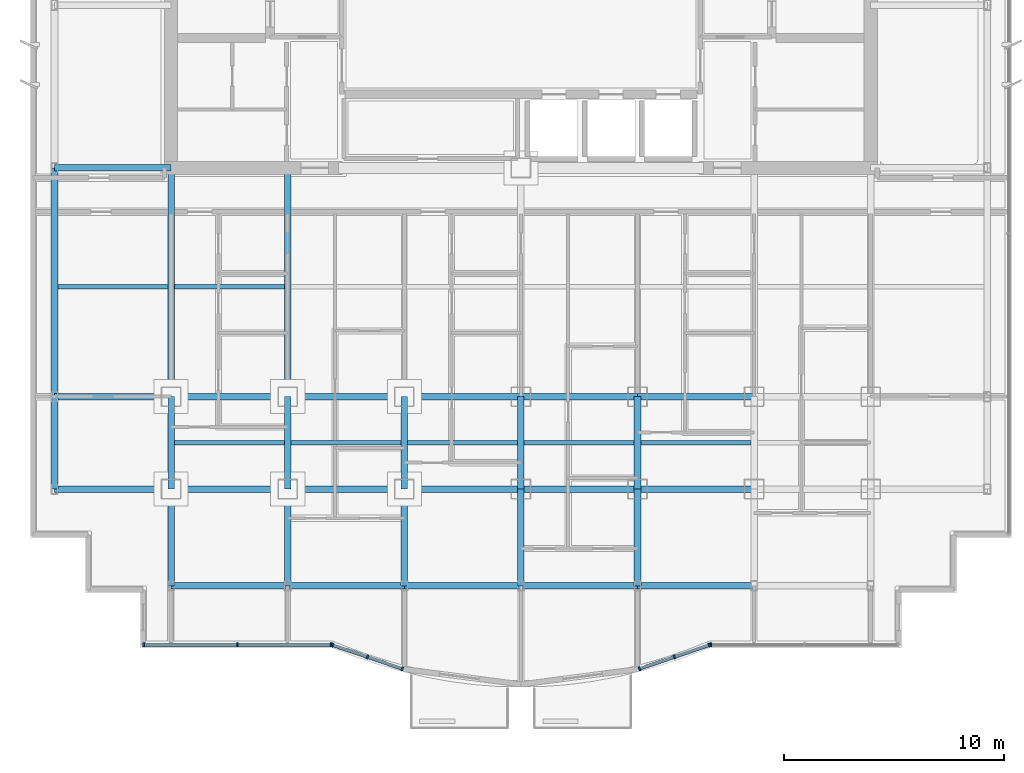
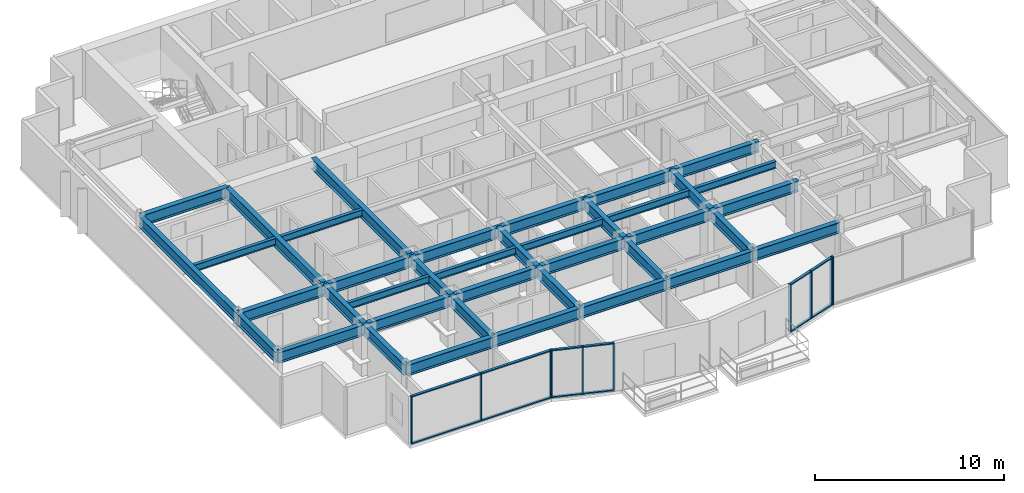
# One storey, part 2 of 13: 39 beams, 22 members, 4 elements without a shape of their own.
"""IFC4 building model written with IfcOpenShell, lengths in metres."""

from ifc_helpers import new_model, si_unit, direction, frame, origin, origin_2d, place, context, subcontext, project, spatial, rectangle, i_section, extrude, source, transform, mapped, material, layer, layer_set, material_profile, profile_set, type_object, element, aggregate, save


model = new_model("IFC4")

# Units and contexts
model_context = context("Model", 3, precision=1e-05, world=origin(), true_north=direction((0.0, 1.0)))
body_context = subcontext(model_context, "Body", "Model", "MODEL_VIEW")
ifc_project = project(units=[si_unit("LENGTHUNIT", "METRE"), si_unit("AREAUNIT", "SQUARE_METRE"), si_unit("VOLUMEUNIT", "CUBIC_METRE"), si_unit("PLANEANGLEUNIT", "RADIAN"), si_unit("MASSUNIT", "GRAM", prefix="KILO")], contexts=[model_context])

# Site, building, storey
site_placement = place(None, origin())
site = spatial("IfcSite", under=ifc_project, at=site_placement, CompositionType="ELEMENT")
building_placement = place(site_placement, origin())
building = spatial("IfcBuilding", under=site, at=building_placement, Name="Qianlan Lanfeng Residences", CompositionType="ELEMENT")
storey_placement = place(building_placement, frame((0.0, 0.0, 162.300048828125)))
storey = spatial("IfcBuildingStorey", under=building, at=storey_placement, Name="L44", CompositionType="ELEMENT", Elevation=162.300048828125)

# Beams
ifc_material_1 = material(Name="Steel SN490B", Category="steel")
ifc_material_profile_1 = material_profile(ifc_material_1, i_section(OverallWidth=0.300048828125, OverallDepth=0.699951171875, WebThickness=0.012939453125, FlangeThickness=0.02392578125, at=origin_2d()), Name="H 700x300x13x24")
ifc_profile_set_1 = profile_set([ifc_material_profile_1], Name="Steel SN490B")
beam_type_1 = type_object("IfcBeamType", Name="G-750", PredefinedType="BEAM", material=ifc_profile_set_1)
beam_1_placement = place(storey_placement, frame((5.300048828125, 10.60009765625, 2.75), z_axis=(1.0, 0.0, 0.0), x_axis=(0.0, 1.0, 0.0)))
element("IfcBeam", 1, at=beam_1_placement, inside=storey, type_object=beam_type_1, Name="Structural beam G-750", PredefinedType="BEAM", context=body_context, shape_type="SweptSolid", body=[
    extrude(i_section(OverallWidth=0.300048828125, OverallDepth=0.699951171875, WebThickness=0.012939453125, FlangeThickness=0.02392578125, at=origin_2d()), origin(), (0.0, 0.0, 1.0), 5.300048828125),
])
beam_2_placement = place(storey_placement, frame((10.60009765625, 10.60009765625, 2.75), z_axis=(1.0, 0.0, 0.0), x_axis=(0.0, 1.0, 0.0)))
element("IfcBeam", 2, at=beam_2_placement, inside=storey, type_object=beam_type_1, Name="Structural beam G-750", PredefinedType="BEAM", context=body_context, shape_type="SweptSolid", body=[
    extrude(i_section(OverallWidth=0.300048828125, OverallDepth=0.699951171875, WebThickness=0.012939453125, FlangeThickness=0.02392578125, at=origin_2d()), origin(), (0.0, 0.0, 1.0), 5.2998046875),
])
for number, where, z_axis, x_axis, name in (
    (3, (15.89990234375, 10.60009765625, 2.75), (1.0, 0.0, 0.0), (0.0, 1.0, 0.0), "Structural beam G-750"),
    (4, (21.199951171875, 10.60009765625, 2.75), (1.0, 0.0, 0.0), (0.0, 1.0, 0.0), "Structural beam G-750"),
    (5, (26.5, 10.60009765625, 2.75), (1.0, 0.0, 0.0), (0.0, 1.0, 0.0), "Structural beam G-750"),
    (6, (31.800048828125, 10.60009765625, 2.75), (1.0, 0.0, 0.0), (0.0, 1.0, 0.0), "Structural beam G-750"),
    (7, (5.300048828125, 14.800048828125, 2.75), (1.0, 0.0, 0.0), (0.0, 1.0, 0.0), "Structural beam G-750"),
):
    element("IfcBeam", number, at=place(storey_placement, frame(where, z_axis=z_axis, x_axis=x_axis)), inside=storey, type_object=beam_type_1, Name=name, PredefinedType="BEAM", context=body_context, shape_type="SweptSolid", body=[
        extrude(i_section(OverallWidth=0.300048828125, OverallDepth=0.699951171875, WebThickness=0.012939453125, FlangeThickness=0.02392578125, at=origin_2d()), origin(), (0.0, 0.0, 1.0), 5.300048828125),
    ])
beam_3_placement = place(storey_placement, frame((10.60009765625, 14.800048828125, 2.75), z_axis=(1.0, 0.0, 0.0), x_axis=(0.0, 1.0, 0.0)))
element("IfcBeam", 8, at=beam_3_placement, inside=storey, type_object=beam_type_1, Name="Structural beam G-750", PredefinedType="BEAM", context=body_context, shape_type="SweptSolid", body=[
    extrude(i_section(OverallWidth=0.300048828125, OverallDepth=0.699951171875, WebThickness=0.012939453125, FlangeThickness=0.02392578125, at=origin_2d()), origin(), (0.0, 0.0, 1.0), 5.2998046875),
])
for number, where, z_axis, x_axis, name in (
    (9, (15.89990234375, 14.800048828125, 2.75), (1.0, 0.0, 0.0), (0.0, 1.0, 0.0), "Structural beam G-750"),
    (10, (21.199951171875, 14.800048828125, 2.75), (1.0, 0.0, 0.0), (0.0, 1.0, 0.0), "Structural beam G-750"),
    (11, (26.5, 14.800048828125, 2.75), (1.0, 0.0, 0.0), (0.0, 1.0, 0.0), "Structural beam G-750"),
    (12, (31.800048828125, 14.800048828125, 2.75), (1.0, 0.0, 0.0), (0.0, 1.0, 0.0), "Structural beam G-750"),
    (13, (5.300048828125, 25.199951171875, 2.75), (1.0, 0.0, 0.0), (0.0, 1.0, 0.0), "Structural beam G-750"),
):
    element("IfcBeam", number, at=place(storey_placement, frame(where, z_axis=z_axis, x_axis=x_axis)), inside=storey, type_object=beam_type_1, Name=name, PredefinedType="BEAM", context=body_context, shape_type="SweptSolid", body=[
        extrude(i_section(OverallWidth=0.300048828125, OverallDepth=0.699951171875, WebThickness=0.012939453125, FlangeThickness=0.02392578125, at=origin_2d()), origin(), (0.0, 0.0, 1.0), 5.300048828125),
    ])
beam_4_placement = place(storey_placement, frame((10.60009765625, 6.199951171875, 2.75), z_axis=(0.0, 1.0, 0.0), x_axis=(-1.0, 0.0, 0.0)))
element("IfcBeam", 14, at=beam_4_placement, inside=storey, type_object=beam_type_1, Name="Structural beam G-750", PredefinedType="BEAM", context=body_context, shape_type="SweptSolid", body=[
    extrude(i_section(OverallWidth=0.300048828125, OverallDepth=0.699951171875, WebThickness=0.012939453125, FlangeThickness=0.02392578125, at=origin_2d()), origin(), (0.0, 0.0, 1.0), 4.400146484375),
])
beam_5_placement = place(storey_placement, frame((10.60009765625, 10.60009765625, 2.75), z_axis=(0.0, 1.0, 0.0), x_axis=(-1.0, 0.0, 0.0)))
element("IfcBeam", 15, at=beam_5_placement, inside=storey, type_object=beam_type_1, Name="Structural beam G-750", PredefinedType="BEAM", context=body_context, shape_type="SweptSolid", body=[
    extrude(i_section(OverallWidth=0.300048828125, OverallDepth=0.699951171875, WebThickness=0.012939453125, FlangeThickness=0.02392578125, at=origin_2d()), origin(), (0.0, 0.0, 1.0), 4.199951171875),
])
beam_6_placement = place(storey_placement, frame((10.60009765625, 14.800048828125, 2.75), z_axis=(0.0, 1.0, 0.0), x_axis=(-1.0, 0.0, 0.0)))
element("IfcBeam", 16, at=beam_6_placement, inside=storey, type_object=beam_type_1, Name="Structural beam G-750", PredefinedType="BEAM", context=body_context, shape_type="SweptSolid", body=[
    extrude(i_section(OverallWidth=0.300048828125, OverallDepth=0.699951171875, WebThickness=0.012939453125, FlangeThickness=0.02392578125, at=origin_2d()), origin(), (0.0, 0.0, 1.0), 10.39990234375),
])
beam_7_placement = place(storey_placement, frame((15.89990234375, 6.199951171875, 2.75), z_axis=(0.0, 1.0, 0.0), x_axis=(-1.0, 0.0, 0.0)))
element("IfcBeam", 17, at=beam_7_placement, inside=storey, type_object=beam_type_1, Name="Structural beam G-750", PredefinedType="BEAM", context=body_context, shape_type="SweptSolid", body=[
    extrude(i_section(OverallWidth=0.300048828125, OverallDepth=0.699951171875, WebThickness=0.012939453125, FlangeThickness=0.02392578125, at=origin_2d()), origin(), (0.0, 0.0, 1.0), 4.400146484375),
])
beam_8_placement = place(storey_placement, frame((15.89990234375, 10.60009765625, 2.75), z_axis=(0.0, 1.0, 0.0), x_axis=(-1.0, 0.0, 0.0)))
element("IfcBeam", 18, at=beam_8_placement, inside=storey, type_object=beam_type_1, Name="Structural beam G-750", PredefinedType="BEAM", context=body_context, shape_type="SweptSolid", body=[
    extrude(i_section(OverallWidth=0.300048828125, OverallDepth=0.699951171875, WebThickness=0.012939453125, FlangeThickness=0.02392578125, at=origin_2d()), origin(), (0.0, 0.0, 1.0), 4.199951171875),
])
beam_9_placement = place(storey_placement, frame((15.89990234375, 14.800048828125, 2.75), z_axis=(0.0, 1.0, 0.0), x_axis=(-1.0, 0.0, 0.0)))
element("IfcBeam", 19, at=beam_9_placement, inside=storey, type_object=beam_type_1, Name="Structural beam G-750", PredefinedType="BEAM", context=body_context, shape_type="SweptSolid", body=[
    extrude(i_section(OverallWidth=0.300048828125, OverallDepth=0.699951171875, WebThickness=0.012939453125, FlangeThickness=0.02392578125, at=origin_2d()), origin(), (0.0, 0.0, 1.0), 10.39990234375),
])
beam_10_placement = place(storey_placement, frame((21.199951171875, 6.199951171875, 2.75), z_axis=(0.0, 1.0, 0.0), x_axis=(-1.0, 0.0, 0.0)))
element("IfcBeam", 20, at=beam_10_placement, inside=storey, type_object=beam_type_1, Name="Structural beam G-750", PredefinedType="BEAM", context=body_context, shape_type="SweptSolid", body=[
    extrude(i_section(OverallWidth=0.300048828125, OverallDepth=0.699951171875, WebThickness=0.012939453125, FlangeThickness=0.02392578125, at=origin_2d()), origin(), (0.0, 0.0, 1.0), 4.400146484375),
])
beam_11_placement = place(storey_placement, frame((21.199951171875, 10.60009765625, 2.75), z_axis=(0.0, 1.0, 0.0), x_axis=(-1.0, 0.0, 0.0)))
element("IfcBeam", 21, at=beam_11_placement, inside=storey, type_object=beam_type_1, Name="Structural beam G-750", PredefinedType="BEAM", context=body_context, shape_type="SweptSolid", body=[
    extrude(i_section(OverallWidth=0.300048828125, OverallDepth=0.699951171875, WebThickness=0.012939453125, FlangeThickness=0.02392578125, at=origin_2d()), origin(), (0.0, 0.0, 1.0), 4.199951171875),
])
beam_12_placement = place(storey_placement, frame((26.5, 6.199951171875, 2.75), z_axis=(0.0, 1.0, 0.0), x_axis=(-1.0, 0.0, 0.0)))
element("IfcBeam", 22, at=beam_12_placement, inside=storey, type_object=beam_type_1, Name="Structural beam G-750", PredefinedType="BEAM", context=body_context, shape_type="SweptSolid", body=[
    extrude(i_section(OverallWidth=0.300048828125, OverallDepth=0.699951171875, WebThickness=0.012939453125, FlangeThickness=0.02392578125, at=origin_2d()), origin(), (0.0, 0.0, 1.0), 4.400146484375),
])
beam_13_placement = place(storey_placement, frame((26.5, 10.60009765625, 2.75), z_axis=(0.0, 1.0, 0.0), x_axis=(-1.0, 0.0, 0.0)))
element("IfcBeam", 23, at=beam_13_placement, inside=storey, type_object=beam_type_1, Name="Structural beam G-750", PredefinedType="BEAM", context=body_context, shape_type="SweptSolid", body=[
    extrude(i_section(OverallWidth=0.300048828125, OverallDepth=0.699951171875, WebThickness=0.012939453125, FlangeThickness=0.02392578125, at=origin_2d()), origin(), (0.0, 0.0, 1.0), 4.199951171875),
])
beam_14_placement = place(storey_placement, frame((31.800048828125, 6.199951171875, 2.75), z_axis=(0.0, 1.0, 0.0), x_axis=(-1.0, 0.0, 0.0)))
element("IfcBeam", 24, at=beam_14_placement, inside=storey, type_object=beam_type_1, Name="Structural beam G-750", PredefinedType="BEAM", context=body_context, shape_type="SweptSolid", body=[
    extrude(i_section(OverallWidth=0.300048828125, OverallDepth=0.699951171875, WebThickness=0.012939453125, FlangeThickness=0.02392578125, at=origin_2d()), origin(), (0.0, 0.0, 1.0), 4.400146484375),
])
beam_15_placement = place(storey_placement, frame((31.800048828125, 10.60009765625, 2.75), z_axis=(0.0, 1.0, 0.0), x_axis=(-1.0, 0.0, 0.0)))
element("IfcBeam", 25, at=beam_15_placement, inside=storey, type_object=beam_type_1, Name="Structural beam G-750", PredefinedType="BEAM", context=body_context, shape_type="SweptSolid", body=[
    extrude(i_section(OverallWidth=0.300048828125, OverallDepth=0.699951171875, WebThickness=0.012939453125, FlangeThickness=0.02392578125, at=origin_2d()), origin(), (0.0, 0.0, 1.0), 4.199951171875),
])
ifc_material_profile_2 = material_profile(ifc_material_1, i_section(OverallWidth=0.199951171875, OverallDepth=0.449951171875, WebThickness=0.009033203125, FlangeThickness=0.013916015625, at=origin_2d()), Name="H 450x200x9x14")
ifc_profile_set_2 = profile_set([ifc_material_profile_2], Name="Steel SN490B")
beam_type_2 = type_object("IfcBeamType", Name="J-450", PredefinedType="JOIST", material=ifc_profile_set_2)
for number, where, z_axis, x_axis, name in (
    (26, (10.75, 12.699951171875, 2.875), (1.0, 0.0, 0.0), (0.0, 1.0, 0.0), "Structural beam J-450"),
    (27, (16.050048828125, 12.699951171875, 2.875), (1.0, 0.0, 0.0), (0.0, 1.0, 0.0), "Structural beam J-450"),
    (28, (21.35009765625, 12.699951171875, 2.875), (1.0, 0.0, 0.0), (0.0, 1.0, 0.0), "Structural beam J-450"),
    (29, (26.64990234375, 12.699951171875, 2.875), (1.0, 0.0, 0.0), (0.0, 1.0, 0.0), "Structural beam J-450"),
    (30, (31.949951171875, 12.699951171875, 2.875), (1.0, 0.0, 0.0), (0.0, 1.0, 0.0), "Structural beam J-450"),
    (31, (5.449951171875, 19.800048828125, 2.875), (1.0, 0.0, 0.0), (0.0, 1.0, 0.0), "Structural beam J-450"),
    (32, (10.75, 19.800048828125, 2.875), (1.0, 0.0, 0.0), (0.0, 1.0, 0.0), "Structural beam J-450"),
):
    element("IfcBeam", number, at=place(storey_placement, frame(where, z_axis=z_axis, x_axis=x_axis)), inside=storey, type_object=beam_type_2, Name=name, PredefinedType="JOIST", context=body_context, shape_type="SweptSolid", body=[
        extrude(i_section(OverallWidth=0.199951171875, OverallDepth=0.449951171875, WebThickness=0.009033203125, FlangeThickness=0.013916015625, at=origin_2d()), origin(), (0.0, 0.0, 1.0), 5.0),
    ])
ifc_material_profile_3 = material_profile(ifc_material_1, i_section(OverallWidth=0.300048828125, OverallDepth=0.699951171875, WebThickness=0.012939453125, FlangeThickness=0.02392578125, at=origin_2d()), Name="H 700x300x13x24")
ifc_profile_set_3 = profile_set([ifc_material_profile_3], Name="Steel SN490B")
beam_type_3 = type_object("IfcBeamType", Name="SG-750", PredefinedType="SPANDREL", material=ifc_profile_set_3)
beam_16_placement = place(storey_placement, frame((10.60009765625, 6.199951171875, 2.739990234375), z_axis=(1.0, 0.0, 0.0), x_axis=(0.0, 1.0, 0.0)))
element("IfcBeam", 33, at=beam_16_placement, inside=storey, type_object=beam_type_3, Name="Structural beam SG-750", PredefinedType="SPANDREL", context=body_context, shape_type="SweptSolid", body=[
    extrude(i_section(OverallWidth=0.300048828125, OverallDepth=0.699951171875, WebThickness=0.012939453125, FlangeThickness=0.02392578125, at=origin_2d()), origin(), (0.0, 0.0, 1.0), 5.2998046875),
])
for number, where, z_axis, x_axis, name in (
    (34, (15.89990234375, 6.199951171875, 2.739990234375), (1.0, 0.0, 0.0), (0.0, 1.0, 0.0), "Structural beam SG-750"),
    (35, (21.199951171875, 6.199951171875, 2.739990234375), (1.0, 0.0, 0.0), (0.0, 1.0, 0.0), "Structural beam SG-750"),
    (36, (26.5, 6.199951171875, 2.739990234375), (1.0, 0.0, 0.0), (0.0, 1.0, 0.0), "Structural beam SG-750"),
    (37, (31.800048828125, 6.199951171875, 2.739990234375), (1.0, 0.0, 0.0), (0.0, 1.0, 0.0), "Structural beam SG-750"),
):
    element("IfcBeam", number, at=place(storey_placement, frame(where, z_axis=z_axis, x_axis=x_axis)), inside=storey, type_object=beam_type_3, Name=name, PredefinedType="SPANDREL", context=body_context, shape_type="SweptSolid", body=[
        extrude(i_section(OverallWidth=0.300048828125, OverallDepth=0.699951171875, WebThickness=0.012939453125, FlangeThickness=0.02392578125, at=origin_2d()), origin(), (0.0, 0.0, 1.0), 5.300048828125),
    ])
beam_17_placement = place(storey_placement, frame((5.300048828125, 10.60009765625, 2.739990234375), z_axis=(0.0, 1.0, 0.0), x_axis=(-1.0, 0.0, 0.0)))
element("IfcBeam", 38, at=beam_17_placement, inside=storey, type_object=beam_type_3, Name="Structural beam SG-750", PredefinedType="SPANDREL", context=body_context, shape_type="SweptSolid", body=[
    extrude(i_section(OverallWidth=0.300048828125, OverallDepth=0.699951171875, WebThickness=0.012939453125, FlangeThickness=0.02392578125, at=origin_2d()), origin(), (0.0, 0.0, 1.0), 4.199951171875),
])
beam_18_placement = place(storey_placement, frame((5.300048828125, 14.800048828125, 2.739990234375), z_axis=(0.0, 1.0, 0.0), x_axis=(-1.0, 0.0, 0.0)))
element("IfcBeam", 39, at=beam_18_placement, inside=storey, type_object=beam_type_3, Name="Structural beam SG-750", PredefinedType="SPANDREL", context=body_context, shape_type="SweptSolid", body=[
    extrude(i_section(OverallWidth=0.300048828125, OverallDepth=0.699951171875, WebThickness=0.012939453125, FlangeThickness=0.02392578125, at=origin_2d()), origin(), (0.0, 0.0, 1.0), 10.39990234375),
])

# Curtain wall, members
ifc_material_2 = material(Name="Anodised Bronze Aluminium 6063-T6", Category="aluminium")
ifc_layer = layer(ifc_material_2, 0.219970703125)
ifc_layer_set = layer_set([ifc_layer], Name="Anodised Bronze Aluminium 6063-T6")
curtain_wall_type = type_object("IfcCurtainWallType", Name="CW-04", PredefinedType="NOTDEFINED", material=ifc_layer_set)
curtain_wall_1_placement = place(storey_placement, origin())
curtain_wall_1 = element("IfcCurtainWall", 40, at=curtain_wall_1_placement, inside=storey, type_object=curtain_wall_type, Name="L44 Unitised Curtain Wall CWR-L44-01 (CW-04)", PredefinedType="NOTDEFINED")
ifc_material_profile_4 = material_profile(ifc_material_2, rectangle(XDim=0.074951171875, YDim=0.14990234375, at=origin_2d()), Name="ALU TRANSOM 75x150")
ifc_profile_set_4 = profile_set([ifc_material_profile_4], Name="Anodised Bronze Aluminium 6063-T6")
member_type_1 = type_object("IfcMemberType", Name="CWT-150", PredefinedType="USERDEFINED", material=ifc_profile_set_4)
shared_shape_1 = source(origin(), body_context, "Body", "SweptSolid", [
    extrude(rectangle(XDim=0.074951171875, YDim=0.14990234375, at=origin_2d()), origin(), (0.0, 0.0, 1.0), 4.178955078125),
])
member_1_placement = place(storey_placement, frame((9.39501953125, 3.52001953125, 0.037353515625), z_axis=(1.0, 0.0, 0.0), x_axis=(0.0, 0.0, 1.0)))
member_1 = element("IfcMember", 41, at=member_1_placement, type_object=member_type_1, Name="CWR-L44-01 Transom 1-BOT", ObjectType="TRANSOM", PredefinedType="USERDEFINED", context=body_context, shape_type="MappedRepresentation", body=[
    mapped(shared_shape_1, transform((0.0, 0.0, 0.0), scale=1.0)),
])
member_2_placement = place(storey_placement, frame((9.39501953125, 3.52001953125, 3.0625), z_axis=(1.0, 0.0, 0.0), x_axis=(0.0, 0.0, 1.0)))
member_2 = element("IfcMember", 42, at=member_2_placement, type_object=member_type_1, Name="CWR-L44-01 Transom 1-TOP", ObjectType="TRANSOM", PredefinedType="USERDEFINED", context=body_context, shape_type="MappedRepresentation", body=[
    mapped(shared_shape_1, transform((0.0, 0.0, 0.0), scale=1.0)),
])
member_3_placement = place(storey_placement, frame((13.64892578125, 3.52001953125, 0.037353515625), z_axis=(1.0, 0.0, 0.0), x_axis=(0.0, 0.0, 1.0)))
member_3 = element("IfcMember", 43, at=member_3_placement, type_object=member_type_1, Name="CWR-L44-01 Transom 2-BOT", ObjectType="TRANSOM", PredefinedType="USERDEFINED", context=body_context, shape_type="MappedRepresentation", body=[
    mapped(shared_shape_1, transform((0.0, 0.0, 0.0), scale=1.0)),
])
member_4_placement = place(storey_placement, frame((13.64892578125, 3.52001953125, 3.0625), z_axis=(1.0, 0.0, 0.0), x_axis=(0.0, 0.0, 1.0)))
member_4 = element("IfcMember", 44, at=member_4_placement, type_object=member_type_1, Name="CWR-L44-01 Transom 2-TOP", ObjectType="TRANSOM", PredefinedType="USERDEFINED", context=body_context, shape_type="MappedRepresentation", body=[
    mapped(shared_shape_1, transform((0.0, 0.0, 0.0), scale=1.0)),
])

curtain_wall_2_placement = place(storey_placement, origin())
curtain_wall_2 = element("IfcCurtainWall", 45, at=curtain_wall_2_placement, inside=storey, type_object=curtain_wall_type, Name="L44 Unitised Curtain Wall CWR-L44-02 (CW-04)", PredefinedType="NOTDEFINED")
shared_shape_2 = source(origin(), body_context, "Body", "SweptSolid", [
    extrude(rectangle(XDim=0.074951171875, YDim=0.14990234375, at=origin_2d()), origin(), (0.0, 0.0, 1.0), 1.597900390625),
])
member_5_placement = place(storey_placement, frame((17.97412109375, 3.495849609375, 0.037353515625), z_axis=(0.946818368584, -0.321768514481, 0.0), x_axis=(0.0, 0.0, 1.0)))
member_5 = element("IfcMember", 46, at=member_5_placement, type_object=member_type_1, Name="CWR-L44-02 Transom 1-BOT", ObjectType="TRANSOM", PredefinedType="USERDEFINED", context=body_context, shape_type="MappedRepresentation", body=[
    mapped(shared_shape_2, transform((0.0, 0.0, 0.0), scale=1.0)),
])
member_6_placement = place(storey_placement, frame((17.97412109375, 3.495849609375, 3.0625), z_axis=(0.946818368584, -0.321768514481, 0.0), x_axis=(0.0, 0.0, 1.0)))
member_6 = element("IfcMember", 47, at=member_6_placement, type_object=member_type_1, Name="CWR-L44-02 Transom 1-TOP", ObjectType="TRANSOM", PredefinedType="USERDEFINED", context=body_context, shape_type="MappedRepresentation", body=[
    mapped(shared_shape_2, transform((0.0, 0.0, 0.0), scale=1.0)),
])
member_7_placement = place(storey_placement, frame((19.55810546875, 2.95751953125, 0.037353515625), z_axis=(0.94677181357, -0.321905472195, 0.0), x_axis=(0.0, 0.0, 1.0)))
member_7 = element("IfcMember", 48, at=member_7_placement, type_object=member_type_1, Name="CWR-L44-02 Transom 2-BOT", ObjectType="TRANSOM", PredefinedType="USERDEFINED", context=body_context, shape_type="MappedRepresentation", body=[
    mapped(shared_shape_2, transform((0.0, 0.0, 0.0), scale=1.0)),
])
member_8_placement = place(storey_placement, frame((19.55810546875, 2.95751953125, 3.0625), z_axis=(0.94677181357, -0.321905472195, 0.0), x_axis=(0.0, 0.0, 1.0)))
member_8 = element("IfcMember", 49, at=member_8_placement, type_object=member_type_1, Name="CWR-L44-02 Transom 2-TOP", ObjectType="TRANSOM", PredefinedType="USERDEFINED", context=body_context, shape_type="MappedRepresentation", body=[
    mapped(shared_shape_2, transform((0.0, 0.0, 0.0), scale=1.0)),
])

curtain_wall_3_placement = place(storey_placement, origin())
curtain_wall_3 = element("IfcCurtainWall", 50, at=curtain_wall_3_placement, inside=storey, type_object=curtain_wall_type, Name="L44 Unitised Curtain Wall CWR-L44-03 (CW-04)", PredefinedType="NOTDEFINED")
shared_shape_3 = source(origin(), body_context, "Body", "SweptSolid", [
    extrude(rectangle(XDim=0.074951171875, YDim=0.14990234375, at=origin_2d()), origin(), (0.0, 0.0, 1.0), 1.598388671875),
])
member_9_placement = place(storey_placement, frame((31.927978515625, 2.443115234375, 0.037353515625), z_axis=(0.946803462724, 0.321812372312, 0.0), x_axis=(0.0, 0.0, 1.0)))
member_9 = element("IfcMember", 51, at=member_9_placement, type_object=member_type_1, Name="CWR-L44-03 Transom 1-BOT", ObjectType="TRANSOM", PredefinedType="USERDEFINED", context=body_context, shape_type="MappedRepresentation", body=[
    mapped(shared_shape_3, transform((0.0, 0.0, 0.0), scale=1.0)),
])
member_10_placement = place(storey_placement, frame((31.927978515625, 2.443115234375, 3.0625), z_axis=(0.946803462724, 0.321812372312, 0.0), x_axis=(0.0, 0.0, 1.0)))
member_10 = element("IfcMember", 52, at=member_10_placement, type_object=member_type_1, Name="CWR-L44-03 Transom 1-TOP", ObjectType="TRANSOM", PredefinedType="USERDEFINED", context=body_context, shape_type="MappedRepresentation", body=[
    mapped(shared_shape_3, transform((0.0, 0.0, 0.0), scale=1.0)),
])
member_11_placement = place(storey_placement, frame((33.512451171875, 2.981689453125, 0.037353515625), z_axis=(0.946849992367, 0.32167544506, 0.0), x_axis=(0.0, 0.0, 1.0)))
member_11 = element("IfcMember", 53, at=member_11_placement, type_object=member_type_1, Name="CWR-L44-03 Transom 2-BOT", ObjectType="TRANSOM", PredefinedType="USERDEFINED", context=body_context, shape_type="MappedRepresentation", body=[
    mapped(shared_shape_3, transform((0.0, 0.0, 0.0), scale=1.0)),
])
member_12_placement = place(storey_placement, frame((33.512451171875, 2.981689453125, 3.0625), z_axis=(0.946849992367, 0.32167544506, 0.0), x_axis=(0.0, 0.0, 1.0)))
member_12 = element("IfcMember", 54, at=member_12_placement, type_object=member_type_1, Name="CWR-L44-03 Transom 2-TOP", ObjectType="TRANSOM", PredefinedType="USERDEFINED", context=body_context, shape_type="MappedRepresentation", body=[
    mapped(shared_shape_3, transform((0.0, 0.0, 0.0), scale=1.0)),
])

# Member
ifc_material_profile_5 = material_profile(ifc_material_2, rectangle(XDim=0.074951171875, YDim=0.179931640625, at=origin_2d()), Name="ALU MULLION 75x180")
ifc_profile_set_5 = profile_set([ifc_material_profile_5], Name="Anodised Bronze Aluminium 6063-T6")
member_type_2 = type_object("IfcMemberType", Name="CWM-180", PredefinedType="MULLION", material=ifc_profile_set_5)
shared_shape_4 = source(origin(), body_context, "Body", "SweptSolid", [
    extrude(rectangle(XDim=0.074951171875, YDim=0.179931640625, at=origin_2d()), origin(), (0.0, 0.0, 1.0), 3.099853515625),
])
member_13_placement = place(storey_placement, frame((9.357421875, 3.52001953125, 0.0), z_axis=(0.0, 0.0, 1.0), x_axis=(1.0, 0.0, 0.0)))
member_13 = element("IfcMember", 55, at=member_13_placement, type_object=member_type_2, Name="CWR-L44-01 Mullion 1", PredefinedType="MULLION", context=body_context, shape_type="MappedRepresentation", body=[
    mapped(shared_shape_4, transform((0.0, 0.0, 0.0), scale=1.0)),
])

member_14_placement = place(storey_placement, frame((13.611572265625, 3.52001953125, 0.0), z_axis=(0.0, 0.0, 1.0), x_axis=(1.0, 0.0, 0.0)))
member_14 = element("IfcMember", 56, at=member_14_placement, type_object=member_type_2, Name="CWR-L44-01 Mullion 2", PredefinedType="MULLION", context=body_context, shape_type="MappedRepresentation", body=[
    mapped(shared_shape_4, transform((0.0, 0.0, 0.0), scale=1.0)),
])

member_15_placement = place(storey_placement, frame((17.865478515625, 3.52001953125, 0.0), z_axis=(0.0, 0.0, 1.0), x_axis=(1.0, 0.0, 0.0)))
member_15 = element("IfcMember", 57, at=member_15_placement, type_object=member_type_2, Name="CWR-L44-01 Mullion 3", PredefinedType="MULLION", context=body_context, shape_type="MappedRepresentation", body=[
    mapped(shared_shape_4, transform((0.0, 0.0, 0.0), scale=1.0)),
])

aggregate(curtain_wall_1, [member_13, member_14, member_15, member_1, member_2, member_3, member_4])

member_16_placement = place(storey_placement, frame((17.9384765625, 3.5078125, 0.0), z_axis=(0.0, 0.0, 1.0), x_axis=(0.946795963885, -0.321834433787, 0.0)))
member_16 = element("IfcMember", 58, at=member_16_placement, type_object=member_type_2, Name="CWR-L44-02 Mullion 1", PredefinedType="MULLION", context=body_context, shape_type="MappedRepresentation", body=[
    mapped(shared_shape_4, transform((0.0, 0.0, 0.0), scale=1.0)),
])

member_17_placement = place(storey_placement, frame((19.5224609375, 2.969482421875, 0.0), z_axis=(0.0, 0.0, 1.0), x_axis=(0.946795963885, -0.321834433787, 0.0)))
member_17 = element("IfcMember", 59, at=member_17_placement, type_object=member_type_2, Name="CWR-L44-02 Mullion 2", PredefinedType="MULLION", context=body_context, shape_type="MappedRepresentation", body=[
    mapped(shared_shape_4, transform((0.0, 0.0, 0.0), scale=1.0)),
])

member_18_placement = place(storey_placement, frame((21.1064453125, 2.43115234375, 0.0), z_axis=(0.0, 0.0, 1.0), x_axis=(0.946795963885, -0.321834433787, 0.0)))
member_18 = element("IfcMember", 60, at=member_18_placement, type_object=member_type_2, Name="CWR-L44-02 Mullion 3", PredefinedType="MULLION", context=body_context, shape_type="MappedRepresentation", body=[
    mapped(shared_shape_4, transform((0.0, 0.0, 0.0), scale=1.0)),
])

aggregate(curtain_wall_2, [member_16, member_17, member_18, member_5, member_6, member_7, member_8])

member_19_placement = place(storey_placement, frame((31.892578125, 2.43115234375, 0.0), z_axis=(0.0, 0.0, 1.0), x_axis=(0.946826291861, 0.32174519894, 0.0)))
member_19 = element("IfcMember", 61, at=member_19_placement, type_object=member_type_2, Name="CWR-L44-03 Mullion 1", PredefinedType="MULLION", context=body_context, shape_type="MappedRepresentation", body=[
    mapped(shared_shape_4, transform((0.0, 0.0, 0.0), scale=1.0)),
])

member_20_placement = place(storey_placement, frame((33.47705078125, 2.969482421875, 0.0), z_axis=(0.0, 0.0, 1.0), x_axis=(0.946826291861, 0.32174519894, 0.0)))
member_20 = element("IfcMember", 62, at=member_20_placement, type_object=member_type_2, Name="CWR-L44-03 Mullion 2", PredefinedType="MULLION", context=body_context, shape_type="MappedRepresentation", body=[
    mapped(shared_shape_4, transform((0.0, 0.0, 0.0), scale=1.0)),
])

member_21_placement = place(storey_placement, frame((35.0615234375, 3.5078125, 0.0), z_axis=(0.0, 0.0, 1.0), x_axis=(0.946826291861, 0.32174519894, 0.0)))
member_21 = element("IfcMember", 63, at=member_21_placement, type_object=member_type_2, Name="CWR-L44-03 Mullion 3", PredefinedType="MULLION", context=body_context, shape_type="MappedRepresentation", body=[
    mapped(shared_shape_4, transform((0.0, 0.0, 0.0), scale=1.0)),
])

aggregate(curtain_wall_3, [member_19, member_20, member_21, member_9, member_10, member_11, member_12])

# Curtain wall, member
curtain_wall_4_placement = place(storey_placement, origin())
curtain_wall_4 = element("IfcCurtainWall", 64, at=curtain_wall_4_placement, inside=storey, type_object=curtain_wall_type, Name="L44 Unitised Curtain Wall CWR-L44-04 (CW-04)", PredefinedType="NOTDEFINED")
member_22_placement = place(storey_placement, frame((35.134521484375, 3.52001953125, 0.0), z_axis=(0.0, 0.0, 1.0), x_axis=(1.0, 0.0, 0.0)))
member_22 = element("IfcMember", 65, at=member_22_placement, type_object=member_type_2, Name="CWR-L44-04 Mullion 1", PredefinedType="MULLION", context=body_context, shape_type="MappedRepresentation", body=[
    mapped(shared_shape_4, transform((0.0, 0.0, 0.0), scale=1.0)),
])
aggregate(curtain_wall_4, [member_22])

save(model, "model.ifc")
